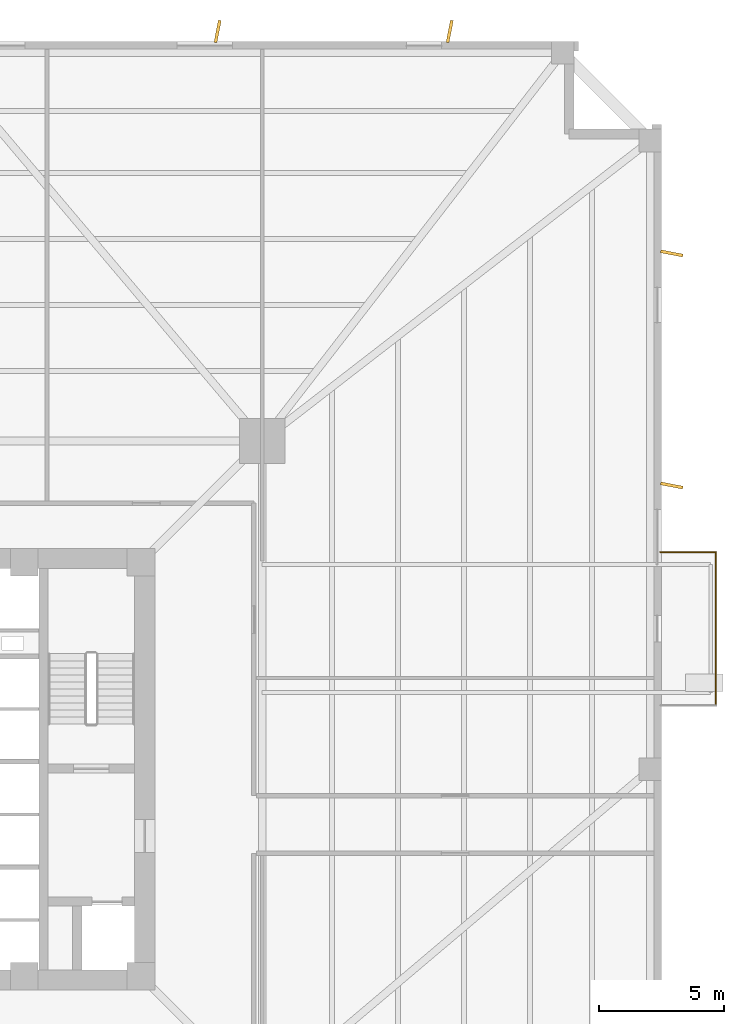
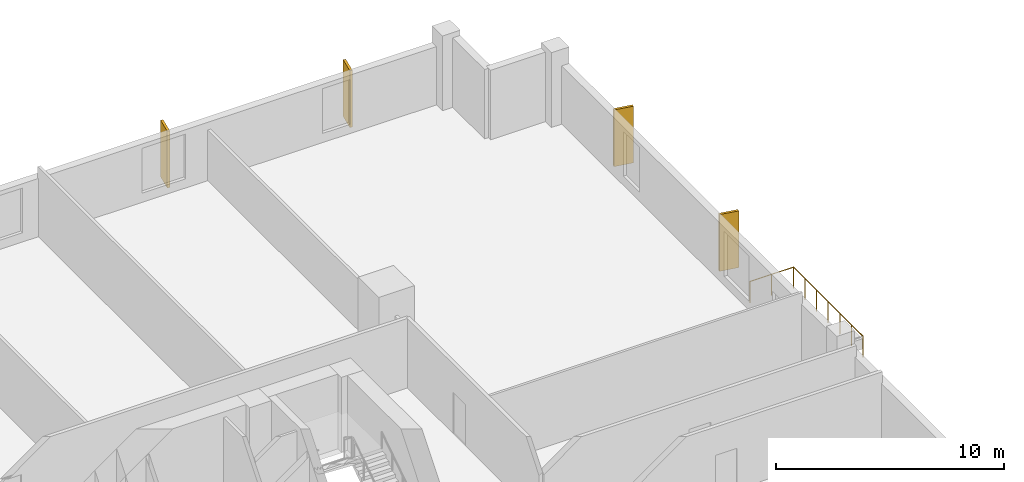
# One storey, part 9 of 9: 4 coverings, 2 railings.
"""IFC4 building model written with IfcOpenShell, lengths in metres."""

from ifc_helpers import new_model, si_unit, direction, frame, origin, origin_2d, place, context, subcontext, project, spatial, rectangle, circle, extrude, source, transform, mapped, material, layer, layer_set, type_object, element, save


model = new_model("IFC4")

# Units and contexts
model_context = context("Model", 3, precision=1e-05, world=origin(), true_north=direction((0.0, 1.0)))
body_context = subcontext(model_context, "Body", "Model", "MODEL_VIEW")
ifc_project = project(units=[si_unit("LENGTHUNIT", "METRE"), si_unit("AREAUNIT", "SQUARE_METRE"), si_unit("VOLUMEUNIT", "CUBIC_METRE"), si_unit("PLANEANGLEUNIT", "RADIAN"), si_unit("MASSUNIT", "GRAM", prefix="KILO"), si_unit("THERMODYNAMICTEMPERATUREUNIT", "KELVIN")], contexts=[model_context])

# Site, building, storey
site_placement = place(None, origin())
site = spatial("IfcSite", under=ifc_project, at=site_placement, CompositionType="ELEMENT")
building_placement = place(site_placement, origin())
building = spatial("IfcBuilding", under=site, at=building_placement, Name="Kosmvard Interchange Tower", CompositionType="ELEMENT")
storey_placement = place(building_placement, frame((0.0, 0.0, 70.0)))
storey = spatial("IfcBuildingStorey", under=building, at=storey_placement, Name="L16", CompositionType="ELEMENT", Elevation=70.0)

# Coverings
ifc_material_1 = material(Name="Architectural anodised aluminium", Category="aluminium")
ifc_layer = layer(ifc_material_1, 0.1201171875, Name="Architectural anodised aluminium")
ifc_layer_set = layer_set([ifc_layer], Name="Architectural anodised aluminium")
covering_type = type_object("IfcCoveringType", Name="Rotating Vertical Sun-Breaker Fin 900x120 Aluminium", PredefinedType="CLADDING", material=ifc_layer_set)
shared_shape_1 = source(origin(), body_context, "Body", "SweptSolid", [
    extrude(rectangle(XDim=0.89990234375, YDim=0.1201171875, at=origin_2d()), origin(), (0.0, 0.0, 1.0), 3.0400390625),
])
for number, where, z_axis, x_axis, name in (
    (1, (29.39990234375, 11.3037109375, 0.0400390625), (0.0, 0.0, 1.0), (0.981493734433, -0.191494253877, 0.0), "L16 Rotating Vertical Sun-Breaker Fin 07"),
    (2, (29.39990234375, 20.552001953125, 0.0400390625), (0.0, 0.0, 1.0), (0.981493734433, -0.191494253877, 0.0), "L16 Rotating Vertical Sun-Breaker Fin 08"),
    (3, (20.552001953125, 29.39990234375, 0.0400390625), (0.0, 0.0, 1.0), (0.191494253877, 0.981493734433, 0.0), "L16 Rotating Vertical Sun-Breaker Fin 09"),
    (4, (11.3037109375, 29.39990234375, 0.0400390625), (0.0, 0.0, 1.0), (0.191494253877, 0.981493734433, 0.0), "L16 Rotating Vertical Sun-Breaker Fin 10"),
):
    element("IfcCovering", number, at=place(storey_placement, frame(where, z_axis=z_axis, x_axis=x_axis)), inside=storey, type_object=covering_type, Name=name, PredefinedType="CLADDING", context=body_context, shape_type="MappedRepresentation", body=[
        mapped(shared_shape_1, transform((0.0, 0.0, 0.0), scale=1.0)),
    ])

# Railings
ifc_material_2 = material(Name="Steel S355", Category="steel")
railing_type = type_object("IfcRailingType", Name="Observation & Balcony Glass-Infill Balustrade 1150", PredefinedType="BALUSTRADE", material=ifc_material_2)
shared_shape_2 = source(origin(), body_context, "Body", "SweptSolid", [
    extrude(circle(Radius=0.02392578125, at=origin_2d()), frame((0.0, 0.0, 1.1259765625), z_axis=(0.0, 1.0, 0.0), x_axis=(-1.0, 0.0, 0.0)), (0.0, 0.0, 1.0), 6.099853515625),
    extrude(circle(Radius=0.02099609375, at=origin_2d()), origin(), (0.0, 0.0, 1.0), 1.101806640625),
    extrude(circle(Radius=0.02099609375, at=origin_2d()), frame((0.0, 1.0166015625, 0.0)), (0.0, 0.0, 1.0), 1.101806640625),
    extrude(circle(Radius=0.02099609375, at=origin_2d()), frame((0.0, 2.033203125, 0.0)), (0.0, 0.0, 1.0), 1.101806640625),
    extrude(circle(Radius=0.02099609375, at=origin_2d()), frame((0.0, 3.0498046875, 0.0)), (0.0, 0.0, 1.0), 1.101806640625),
    extrude(circle(Radius=0.02099609375, at=origin_2d()), frame((0.0, 4.066650390625, 0.0)), (0.0, 0.0, 1.0), 1.101806640625),
    extrude(circle(Radius=0.02099609375, at=origin_2d()), frame((0.0, 5.083251953125, 0.0)), (0.0, 0.0, 1.0), 1.101806640625),
    extrude(circle(Radius=0.02099609375, at=origin_2d()), frame((0.0, 6.099853515625, 0.0)), (0.0, 0.0, 1.0), 1.101806640625),
])
railing_1_placement = place(storey_placement, frame((31.14990234375, 2.550048828125, 0.0)))
element("IfcRailing", 5, at=railing_1_placement, inside=storey, type_object=railing_type, Name="L16 Outdoor Terrace Guard BAL-L16-E-B", PredefinedType="BALUSTRADE", context=body_context, shape_type="MappedRepresentation", body=[
    mapped(shared_shape_2, transform((0.0, 0.0, 0.0), scale=1.0)),
])
shared_shape_3 = source(origin(), body_context, "Body", "SweptSolid", [
    extrude(circle(Radius=0.02392578125, at=origin_2d()), frame((0.0, 0.0, 1.1259765625), z_axis=(-1.0, 0.0, 0.0), x_axis=(0.0, -1.0, 0.0)), (0.0, 0.0, 1.0), 2.199951171875),
    extrude(circle(Radius=0.02099609375, at=origin_2d()), origin(), (0.0, 0.0, 1.0), 1.101806640625),
    extrude(circle(Radius=0.02099609375, at=origin_2d()), frame((-1.10009765625, 0.0, 0.0)), (0.0, 0.0, 1.0), 1.101806640625),
    extrude(circle(Radius=0.02099609375, at=origin_2d()), frame((-2.199951171875, 0.0, 0.0)), (0.0, 0.0, 1.0), 1.101806640625),
])
railing_2_placement = place(storey_placement, frame((31.14990234375, 8.64990234375, 0.0)))
element("IfcRailing", 6, at=railing_2_placement, inside=storey, type_object=railing_type, Name="L16 Outdoor Terrace Guard BAL-L16-E-C", PredefinedType="BALUSTRADE", context=body_context, shape_type="MappedRepresentation", body=[
    mapped(shared_shape_3, transform((0.0, 0.0, 0.0), scale=1.0)),
])

save(model, "model.ifc")
